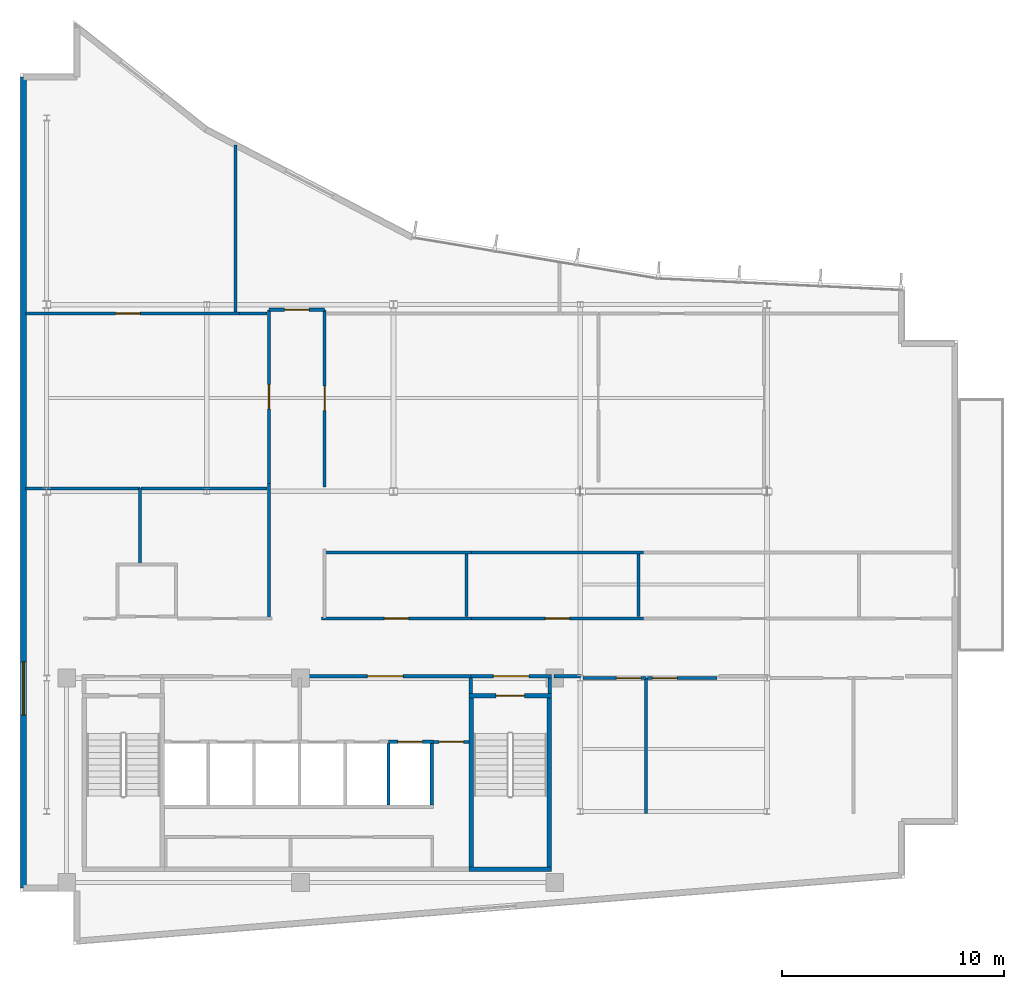
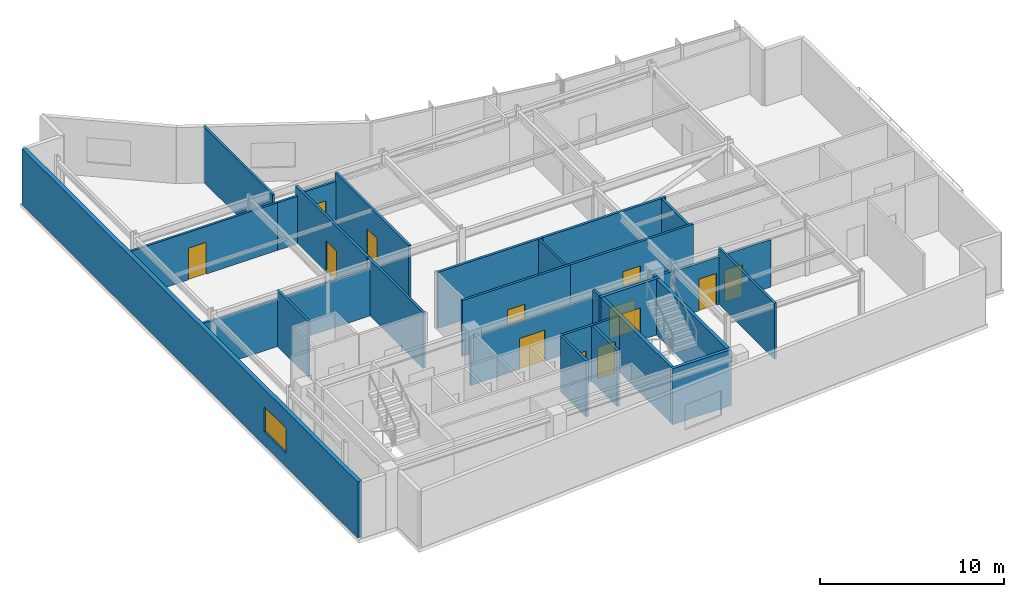
# One storey, part 12 of 17: 33 walls, 13 doors, 1 window, 14 openings.
"""IFC4 building model written with IfcOpenShell, lengths in metres."""

from ifc_helpers import new_model, si_unit, direction, frame, frame_2d, origin, place, context, subcontext, project, spatial, rectangle, extrude, material, layer, layer_set, type_object, element, fill, save


model = new_model("IFC4")

# Units and contexts
model_context = context("Model", 3, precision=1e-05, world=origin(), true_north=direction((0.0, 1.0)))
body_context = subcontext(model_context, "Body", "Model", "MODEL_VIEW")
ifc_project = project(units=[si_unit("LENGTHUNIT", "METRE"), si_unit("AREAUNIT", "SQUARE_METRE"), si_unit("VOLUMEUNIT", "CUBIC_METRE"), si_unit("PLANEANGLEUNIT", "RADIAN"), si_unit("MASSUNIT", "GRAM", prefix="KILO")], contexts=[model_context])

# Site, building, storey
site_placement = place(None, origin())
site = spatial("IfcSite", under=ifc_project, at=site_placement, CompositionType="ELEMENT")
building_placement = place(site_placement, origin())
building = spatial("IfcBuilding", under=site, at=building_placement, Name="Varnakote Quay Hospital", CompositionType="ELEMENT")
storey_placement = place(building_placement, frame((0.0, 0.0, 256.550048828125)))
storey = spatial("IfcBuildingStorey", under=building, at=storey_placement, Name="L63", CompositionType="ELEMENT", Elevation=256.550048828125)

# Wall, opening, door
ifc_material_1 = material(Name="Fire-rated acoustic gypsum stud wall", Category="gypsum")
ifc_layer_1 = layer(ifc_material_1, 0.159912109375)
ifc_layer_set_1 = layer_set([ifc_layer_1], Name="Fire-rated acoustic gypsum stud wall")
wall_type_1 = type_object("IfcWallType", Name="WL-COMP-160", PredefinedType="PARTITIONING", material=ifc_layer_set_1)
wall_1_placement = place(storey_placement, frame((12.580078125, 12.080078125, 0.0), z_axis=(0.0, 0.0, 1.0), x_axis=(1.0, 0.0, 0.0)))
wall_1 = element("IfcWall", 1, at=wall_1_placement, inside=storey, type_object=wall_type_1, Name="L63 Clinical Bed Lift Lobby Wall", PredefinedType="PARTITIONING", context=body_context, shape_type="SweptSolid", body=[
    extrude(rectangle(XDim=7.699951171875, YDim=0.159912109375, at=frame_2d((3.85009765625, 0.0))), origin(), (0.0, 0.0, 1.0), 3.156982421875),
])
opening_1_placement = place(wall_1_placement, frame((3.050048828125, 0.0, 0.0)))
opening_1 = element("IfcOpeningElement", 2, at=opening_1_placement, cuts=wall_1, Name="Opening D-SVL-L63", PredefinedType="OPENING", context=body_context, shape_type="SweptSolid", body=[
    extrude(rectangle(XDim=1.60009765625, YDim=2.050048828125, at=frame_2d((0.800048828125, 1.02490234375))), frame((0.0, 0.08984375, 0.0), z_axis=(0.0, -1.0, 0.0), x_axis=(1.0, 0.0, 0.0)), (0.0, 0.0, 1.0), 0.179931640625),
])
ifc_material_2 = material(Name="Fire-rated double smoke lobby door")
door_type_1 = type_object("IfcDoorType", Name="DR-LOBBY-FD60S-1600x2150", OperationType="NOTDEFINED", PredefinedType="DOOR", material=ifc_material_2)
door_1_placement = place(opening_1_placement, origin())
door_1 = element("IfcDoor", 3, at=door_1_placement, inside=storey, type_object=door_type_1, Name="L63 Clinical Core Smoke Vestibule Door", OperationType="DOUBLE_DOOR_SINGLE_SWING", OverallHeight=2.050048828125, OverallWidth=1.60009765625, PredefinedType="DOOR", context=body_context, shape_type="SweptSolid", body=[
    extrude(rectangle(XDim=1.60009765625, YDim=2.050048828125, at=frame_2d((0.800048828125, 1.02490234375))), frame((0.0, 0.02490234375, 0.0), z_axis=(0.0, -1.0, 0.0), x_axis=(1.0, 0.0, 0.0)), (0.0, 0.0, 1.0), 0.050048828125),
])
fill(opening_1, door_1)

# Wall
wall_2_placement = place(storey_placement, frame((20.280029296875, 11.300048828125, 0.0), z_axis=(0.0, 0.0, 1.0), x_axis=(0.0, 1.0, 0.0)))
element("IfcWall", 4, at=wall_2_placement, inside=storey, type_object=wall_type_1, Name="L63 East Stair Vestibule Divider Wall", PredefinedType="PARTITIONING", context=body_context, shape_type="SweptSolid", body=[
    extrude(rectangle(XDim=0.699951171875, YDim=0.159912109375, at=frame_2d((0.35009765625, 0.0))), origin(), (0.0, 0.0, 1.0), 3.7099609375),
])

# Wall, opening, door
wall_3_placement = place(storey_placement, frame((20.280029296875, 12.080078125, 0.0), z_axis=(0.0, 0.0, 1.0), x_axis=(1.0, 0.0, 0.0)))
wall_3 = element("IfcWall", 5, at=wall_3_placement, inside=storey, type_object=wall_type_1, Name="L63 East Stair Vestibule Smoke Wall", PredefinedType="PARTITIONING", context=body_context, shape_type="SweptSolid", body=[
    extrude(rectangle(XDim=3.619873046875, YDim=0.159912109375, at=frame_2d((1.81005859375, 0.0))), origin(), (0.0, 0.0, 1.0), 3.156982421875),
])
opening_2_placement = place(wall_3_placement, frame((1.010009765625, 0.0, 0.0)))
opening_2 = element("IfcOpeningElement", 6, at=opening_2_placement, cuts=wall_3, Name="Opening D-ST2L-L63", PredefinedType="OPENING", context=body_context, shape_type="SweptSolid", body=[
    extrude(rectangle(XDim=1.60009765625, YDim=2.050048828125, at=frame_2d((0.800048828125, 1.02490234375))), frame((0.0, 0.08984375, 0.0), z_axis=(0.0, -1.0, 0.0), x_axis=(1.0, 0.0, 0.0)), (0.0, 0.0, 1.0), 0.179931640625),
])
door_2_placement = place(opening_2_placement, origin())
door_2 = element("IfcDoor", 7, at=door_2_placement, inside=storey, type_object=door_type_1, Name="L63 East Stair Vestibule Smoke Door", OperationType="DOUBLE_DOOR_SINGLE_SWING", OverallHeight=2.050048828125, OverallWidth=1.60009765625, PredefinedType="DOOR", context=body_context, shape_type="SweptSolid", body=[
    extrude(rectangle(XDim=1.60009765625, YDim=2.050048828125, at=frame_2d((0.800048828125, 1.02490234375))), frame((0.0, 0.02490234375, 0.0), z_axis=(0.0, -1.0, 0.0), x_axis=(1.0, 0.0, 0.0)), (0.0, 0.0, 1.0), 0.050048828125),
])
fill(opening_2, door_2)

# Walls
wall_4_placement = place(storey_placement, frame((23.820068359375, 11.300048828125, 0.0), z_axis=(0.0, 0.0, 1.0), x_axis=(0.0, 1.0, 0.0)))
element("IfcWall", 8, at=wall_4_placement, inside=storey, type_object=wall_type_1, Name="L63 East Stair Vestibule East Wall", PredefinedType="PARTITIONING", context=body_context, shape_type="SweptSolid", body=[
    extrude(rectangle(XDim=0.699951171875, YDim=0.159912109375, at=frame_2d((0.35009765625, 0.0))), origin(), (0.0, 0.0, 1.0), 3.7099609375),
])
wall_5_placement = place(storey_placement, frame((24.02001953125, 12.080078125, 0.0), z_axis=(0.0, 0.0, 1.0), x_axis=(1.0, 0.0, 0.0)))
element("IfcWall", 9, at=wall_5_placement, inside=storey, type_object=wall_type_1, Name="L63 Corridor South Gap Wall", PredefinedType="PARTITIONING", context=body_context, shape_type="SweptSolid", body=[
    extrude(rectangle(XDim=1.2177734375, YDim=0.159912109375, at=frame_2d((0.60888671875, 0.0))), origin(), (0.0, 0.0, 1.0), 3.156982421875),
])

# Wall, opening, window
ifc_material_3 = material(Name="Precast concrete N50 (f'c 50 MPa)", Category="concrete")
ifc_layer_2 = layer(ifc_material_3, 0.260009765625)
ifc_layer_set_2 = layer_set([ifc_layer_2], Name="Precast concrete N50 (f'c 50 MPa)")
wall_type_2 = type_object("IfcWallType", Name="WL-EXT-BRICK-260", PredefinedType="STANDARD", material=ifc_layer_set_2)
wall_6_placement = place(storey_placement, frame((0.159912109375, 39.0400390625, 0.0), z_axis=(0.0, 0.0, 1.0), x_axis=(0.0, -1.0, 0.0)))
wall_6 = element("IfcWall", 10, at=wall_6_placement, inside=storey, type_object=wall_type_2, Name="L63 Brick-Faced Precast Exterior Wall", PredefinedType="STANDARD", context=body_context, shape_type="SweptSolid", body=[
    extrude(rectangle(XDim=36.47998046875, YDim=0.260009765625, at=frame_2d((18.239990234375, 0.0))), origin(), (0.0, 0.0, 1.0), 3.7099609375),
])
opening_3_placement = place(wall_6_placement, frame((26.31005859375, 0.0, 0.89990234375)))
opening_3 = element("IfcOpeningElement", 11, at=opening_3_placement, cuts=wall_6, Name="Opening WN-0257", PredefinedType="OPENING", context=body_context, shape_type="SweptSolid", body=[
    extrude(rectangle(XDim=2.39990234375, YDim=1.64990234375, at=frame_2d((1.199951171875, 0.824951171875))), frame((0.0, 0.139892578125, 0.0), z_axis=(0.0, -1.0, 0.0), x_axis=(1.0, 0.0, 0.0)), (0.0, 0.0, 1.0), 0.280029296875),
])
ifc_material_4 = material(Name="Double-glazed low-E solar glass", Category="glass")
window_type = type_object("IfcWindowType", Name="WIN-CLIN-2400x1650", PartitioningType="SINGLE_PANEL", PredefinedType="WINDOW", material=ifc_material_4)
window_placement = place(opening_3_placement, origin())
window = element("IfcWindow", 12, at=window_placement, inside=storey, type_object=window_type, Name="L63 Solar-Control Clinical Window", OverallHeight=1.64990234375, OverallWidth=2.39990234375, PartitioningType="SINGLE_PANEL", PredefinedType="WINDOW", context=body_context, shape_type="SweptSolid", body=[
    extrude(rectangle(XDim=2.39990234375, YDim=1.64990234375, at=frame_2d((1.199951171875, 0.824951171875))), frame((0.0, 0.030029296875, 0.0), z_axis=(0.0, -1.0, 0.0), x_axis=(1.0, 0.0, 0.0)), (0.0, 0.0, 1.0), 0.06005859375),
])
fill(opening_3, window)

# Walls
ifc_material_5 = material(Name="Concrete N50 (f'c 50 MPa)", Category="concrete")
ifc_layer_3 = layer(ifc_material_5, 0.14990234375)
ifc_layer_set_3 = layer_set([ifc_layer_3], Name="Concrete N50 (f'c 50 MPa)")
wall_type_3 = type_object("IfcWallType", Name="WL-SHAFT-N50-150", PredefinedType="SHEAR", material=ifc_layer_set_3)
wall_7_placement = place(storey_placement, frame((16.574951171875, 6.300048828125, 0.0), z_axis=(0.0, 0.0, 1.0), x_axis=(0.0, 1.0, 0.0)))
element("IfcWall", 13, at=wall_7_placement, inside=storey, type_object=wall_type_3, Name="L63 LF-PH1 Hoistway Divider Wall", PredefinedType="SHEAR", context=body_context, shape_type="SweptSolid", body=[
    extrude(rectangle(XDim=2.75, YDim=0.14990234375, at=frame_2d((1.375, 0.0))), origin(), (0.0, 0.0, 1.0), 3.7099609375),
])
ifc_material_6 = material(Name="Concrete N50 (f'c 50 MPa)", Category="concrete")
ifc_layer_4 = layer(ifc_material_6, 0.159912109375)
ifc_layer_set_4 = layer_set([ifc_layer_4], Name="Concrete N50 (f'c 50 MPa)")
wall_type_4 = type_object("IfcWallType", Name="WL-SHAFT-N50-160", PredefinedType="SHEAR", material=ifc_layer_set_4)
wall_8_placement = place(storey_placement, frame((18.530029296875, 6.300048828125, 0.0), z_axis=(0.0, 0.0, 1.0), x_axis=(0.0, 1.0, 0.0)))
element("IfcWall", 14, at=wall_8_placement, inside=storey, type_object=wall_type_4, Name="L63 REAR Lift Bank East Shear Wall", PredefinedType="SHEAR", context=body_context, shape_type="SweptSolid", body=[
    extrude(rectangle(XDim=2.75, YDim=0.159912109375, at=frame_2d((1.375, 0.0))), origin(), (0.0, 0.0, 1.0), 3.7099609375),
])

# Wall, opening, door
wall_9_placement = place(storey_placement, frame((16.574951171875, 9.1298828125, 0.0), z_axis=(0.0, 0.0, 1.0), x_axis=(1.0, 0.0, 0.0)))
wall_9 = element("IfcWall", 15, at=wall_9_placement, inside=storey, type_object=wall_type_4, Name="L63 LF-PH2 Hoistway Front Wall", PredefinedType="SHEAR", context=body_context, shape_type="SweptSolid", body=[
    extrude(rectangle(XDim=2.03515625, YDim=0.159912109375, at=frame_2d((1.017578125, 0.0))), origin(), (0.0, 0.0, 1.0), 3.7099609375),
])
opening_4_placement = place(wall_9_placement, frame((0.425048828125, 0.0, 0.0)))
opening_4 = element("IfcOpeningElement", 16, at=opening_4_placement, cuts=wall_9, Name="Opening LD-PH2-L63", PredefinedType="OPENING", context=body_context, shape_type="SweptSolid", body=[
    extrude(rectangle(XDim=1.10009765625, YDim=2.14990234375, at=frame_2d((0.550048828125, 1.074951171875))), frame((0.0, 0.08984375, 0.0), z_axis=(0.0, -1.0, 0.0), x_axis=(1.0, 0.0, 0.0)), (0.0, 0.0, 1.0), 0.179931640625),
])
ifc_material_7 = material(Name="Brushed bronze lift landing sliding door")
door_type_2 = type_object("IfcDoorType", Name="DR-LIFT-LD-1100x2150", OperationType="NOTDEFINED", PredefinedType="DOOR", material=ifc_material_7)
door_3_placement = place(opening_4_placement, origin())
door_3 = element("IfcDoor", 17, at=door_3_placement, inside=storey, type_object=door_type_2, Name="L63 LF-PH2 Lift Landing Sliding Door", OperationType="SLIDING_TO_LEFT", OverallHeight=2.14990234375, OverallWidth=1.10009765625, PredefinedType="DOOR", context=body_context, shape_type="SweptSolid", body=[
    extrude(rectangle(XDim=1.10009765625, YDim=2.14990234375, at=frame_2d((0.550048828125, 1.074951171875))), frame((0.0, 0.02490234375, 0.0), z_axis=(0.0, -1.0, 0.0), x_axis=(1.0, 0.0, 0.0)), (0.0, 0.0, 1.0), 0.050048828125),
])
fill(opening_4, door_3)

# Walls
ifc_material_8 = material(Name="Concrete N50 (f'c 50 MPa)", Category="concrete")
ifc_layer_5 = layer(ifc_material_8, 0.199951171875)
ifc_layer_set_5 = layer_set([ifc_layer_5], Name="Concrete N50 (f'c 50 MPa)")
wall_type_5 = type_object("IfcWallType", Name="WL-SHAFT-N50-200", PredefinedType="SHEAR", material=ifc_layer_set_5)
wall_10_placement = place(storey_placement, frame((20.199951171875, 3.39990234375, 0.0), z_axis=(0.0, 0.0, 1.0), x_axis=(1.0, 0.0, 0.0)))
element("IfcWall", 18, at=wall_10_placement, inside=storey, type_object=wall_type_5, Name="L63 Stair ST2 South Shaft Wall", PredefinedType="SHEAR", context=body_context, shape_type="SweptSolid", body=[
    extrude(rectangle(XDim=3.699951171875, YDim=0.199951171875, at=frame_2d((1.85009765625, 0.0))), origin(), (0.0, 0.0, 1.0), 3.7099609375),
])
for number, where, z_axis, x_axis, name in (
    (19, (20.300048828125, 3.5, 0.0), (0.0, 0.0, 1.0), (0.0, 1.0, 0.0), "L63 Stair ST2 West Shaft Wall"),
    (20, (23.800048828125, 3.5, 0.0), (0.0, 0.0, 1.0), (0.0, 1.0, 0.0), "L63 Stair ST2 East Shaft Wall"),
):
    element("IfcWall", number, at=place(storey_placement, frame(where, z_axis=z_axis, x_axis=x_axis)), inside=storey, type_object=wall_type_5, Name=name, PredefinedType="SHEAR", context=body_context, shape_type="SweptSolid", body=[
        extrude(rectangle(XDim=7.60009765625, YDim=0.199951171875, at=frame_2d((3.800048828125, 0.0))), origin(), (0.0, 0.0, 1.0), 3.7099609375),
    ])

# Wall, opening, door
wall_11_placement = place(storey_placement, frame((20.199951171875, 11.199951171875, 0.0), z_axis=(0.0, 0.0, 1.0), x_axis=(1.0, 0.0, 0.0)))
wall_11 = element("IfcWall", 21, at=wall_11_placement, inside=storey, type_object=wall_type_5, Name="L63 Stair ST2 Exit Wall", PredefinedType="SHEAR", context=body_context, shape_type="SweptSolid", body=[
    extrude(rectangle(XDim=3.699951171875, YDim=0.199951171875, at=frame_2d((1.85009765625, 0.0))), origin(), (0.0, 0.0, 1.0), 3.7099609375),
])
opening_5_placement = place(wall_11_placement, frame((1.199951171875, 0.0, 0.0)))
opening_5 = element("IfcOpeningElement", 22, at=opening_5_placement, cuts=wall_11, Name="Opening D-ST2-L63", PredefinedType="OPENING", context=body_context, shape_type="SweptSolid", body=[
    extrude(rectangle(XDim=1.300048828125, YDim=2.14990234375, at=frame_2d((0.64990234375, 1.074951171875))), frame((0.0, 0.10986328125, 0.0), z_axis=(0.0, -1.0, 0.0), x_axis=(1.0, 0.0, 0.0)), (0.0, 0.0, 1.0), 0.219970703125),
])
ifc_material_9 = material(Name="Fire-rated ceramic-glazed timber exit door", Category="wood")
door_type_3 = type_object("IfcDoorType", Name="DR-STAIR-FD60S-1300x2150", OperationType="NOTDEFINED", PredefinedType="DOOR", material=ifc_material_9)
door_4_placement = place(opening_5_placement, origin())
door_4 = element("IfcDoor", 23, at=door_4_placement, inside=storey, type_object=door_type_3, Name="L63 Stair ST2 Fire Exit Door", OperationType="SINGLE_SWING_LEFT", OverallHeight=2.14990234375, OverallWidth=1.300048828125, PredefinedType="DOOR", context=body_context, shape_type="SweptSolid", body=[
    extrude(rectangle(XDim=1.300048828125, YDim=2.14990234375, at=frame_2d((0.64990234375, 1.074951171875))), frame((0.0, 0.02490234375, 0.0), z_axis=(0.0, -1.0, 0.0), x_axis=(1.0, 0.0, 0.0)), (0.0, 0.0, 1.0), 0.050048828125),
])
fill(opening_5, door_4)

# Walls
ifc_material_10 = material(Name="Smoke-proof clinical partition", Category="gypsum")
ifc_layer_6 = layer(ifc_material_10, 0.135009765625)
ifc_layer_set_6 = layer_set([ifc_layer_6], Name="Smoke-proof clinical partition")
wall_type_6 = type_object("IfcWallType", Name="WL-SMOKE-135", PredefinedType="PARTITIONING", material=ifc_layer_set_6)
wall_12_placement = place(storey_placement, frame((28.159912109375, 5.89990234375, 0.0), z_axis=(0.0, 0.0, 1.0), x_axis=(0.0, 1.0, 0.0)))
element("IfcWall", 24, at=wall_12_placement, inside=storey, type_object=wall_type_6, Name="L63 Clinical Interior Partition", PredefinedType="PARTITIONING", context=body_context, shape_type="SweptSolid", body=[
    extrude(rectangle(XDim=6.10009765625, YDim=0.135009765625, at=frame_2d((3.050048828125, 0.0))), origin(), (0.0, 0.0, 1.0), 3.7099609375),
])
wall_13_placement = place(storey_placement, frame((5.389892578125, 17.139892578125, 0.0), z_axis=(0.0, 0.0, 1.0), x_axis=(0.0, 1.0, 0.0)))
element("IfcWall", 25, at=wall_13_placement, inside=storey, type_object=wall_type_6, Name="L63 Clinical Interior Partition", PredefinedType="PARTITIONING", context=body_context, shape_type="SweptSolid", body=[
    extrude(rectangle(XDim=3.380126953125, YDim=0.135009765625, at=frame_2d((1.68994140625, 0.0))), origin(), (0.0, 0.0, 1.0), 3.7099609375),
])
wall_14_placement = place(storey_placement, frame((5.389892578125, 20.52001953125, 0.0), z_axis=(0.0, 0.0, 1.0), x_axis=(-1.0, 0.0, 0.0)))
element("IfcWall", 26, at=wall_14_placement, inside=storey, type_object=wall_type_6, Name="L63 Clinical Interior Partition", PredefinedType="PARTITIONING", context=body_context, shape_type="SweptSolid", body=[
    extrude(rectangle(XDim=5.14990234375, YDim=0.135009765625, at=frame_2d((2.574951171875, 0.0))), origin(), (0.0, 0.0, 1.0), 3.156982421875),
])
wall_15_placement = place(storey_placement, frame((11.1201171875, 20.52001953125, 0.0), z_axis=(0.0, 0.0, 1.0), x_axis=(-1.0, 0.0, 0.0)))
element("IfcWall", 27, at=wall_15_placement, inside=storey, type_object=wall_type_6, Name="L63 Clinical Interior Partition", PredefinedType="PARTITIONING", context=body_context, shape_type="SweptSolid", body=[
    extrude(rectangle(XDim=5.672607421875, YDim=0.135009765625, at=frame_2d((2.83642578125, 0.0))), origin(), (0.0, 0.0, 1.0), 3.156982421875),
])
for number, where, z_axis, x_axis, name in (
    (28, (20.090087890625, 14.760009765625, 0.0), (0.0, 0.0, 1.0), (0.0, 1.0, 0.0), "L63 Clinical Interior Partition"),
    (29, (27.81005859375, 14.760009765625, 0.0), (0.0, 0.0, 1.0), (0.0, 1.0, 0.0), "L63 Clinical Interior Partition"),
):
    element("IfcWall", number, at=place(storey_placement, frame(where, z_axis=z_axis, x_axis=x_axis)), inside=storey, type_object=wall_type_6, Name=name, PredefinedType="PARTITIONING", context=body_context, shape_type="SweptSolid", body=[
        extrude(rectangle(XDim=2.81005859375, YDim=0.135009765625, at=frame_2d((1.405029296875, 0.0))), origin(), (0.0, 0.0, 1.0), 3.7099609375),
    ])

# Wall, opening, door
wall_16_placement = place(storey_placement, frame((9.87841796875, 28.39990234375, 0.0), z_axis=(0.0, 0.0, 1.0), x_axis=(-1.0, 0.0, 0.0)))
wall_16 = element("IfcWall", 30, at=wall_16_placement, inside=storey, type_object=wall_type_6, Name="L63 Clinical Interior Partition", PredefinedType="PARTITIONING", context=body_context, shape_type="SweptSolid", body=[
    extrude(rectangle(XDim=9.638427734375, YDim=0.135009765625, at=frame_2d((4.8193359375, 0.0))), origin(), (0.0, 0.0, 1.0), 3.156982421875),
])
opening_6_placement = place(wall_16_placement, frame((4.47265625, 0.0, 0.0)))
opening_6 = element("IfcOpeningElement", 31, at=opening_6_placement, cuts=wall_16, Name="Opening D-L63-MD09", PredefinedType="OPENING", context=body_context, shape_type="SweptSolid", body=[
    extrude(rectangle(XDim=1.10009765625, YDim=2.10009765625, at=frame_2d((0.550048828125, 1.050048828125))), frame((0.0, 0.077392578125, 0.0), z_axis=(0.0, -1.0, 0.0), x_axis=(1.0, 0.0, 0.0)), (0.0, 0.0, 1.0), 0.155029296875),
])
ifc_material_11 = material(Name="Acoustic timber clinical consult door", Category="wood")
door_type_4 = type_object("IfcDoorType", Name="DR-CLIN-FD30S-1100x2100", OperationType="NOTDEFINED", PredefinedType="DOOR", material=ifc_material_11)
door_5_placement = place(opening_6_placement, origin())
door_5 = element("IfcDoor", 32, at=door_5_placement, inside=storey, type_object=door_type_4, Name="L63 Ward Nurse Station Office Door", OperationType="SINGLE_SWING_LEFT", OverallHeight=2.10009765625, OverallWidth=1.10009765625, PredefinedType="DOOR", context=body_context, shape_type="SweptSolid", body=[
    extrude(rectangle(XDim=1.10009765625, YDim=2.10009765625, at=frame_2d((0.550048828125, 1.050048828125))), frame((0.0, 0.02490234375, 0.0), z_axis=(0.0, -1.0, 0.0), x_axis=(1.0, 0.0, 0.0)), (0.0, 0.0, 1.0), 0.050048828125),
])
fill(opening_6, door_5)

# Walls
wall_17_placement = place(storey_placement, frame((11.1201171875, 28.39990234375, 0.0), z_axis=(0.0, 0.0, 1.0), x_axis=(-1.0, 0.0, 0.0)))
element("IfcWall", 33, at=wall_17_placement, inside=storey, type_object=wall_type_6, Name="L63 Clinical Interior Partition", PredefinedType="PARTITIONING", context=body_context, shape_type="SweptSolid", body=[
    extrude(rectangle(XDim=1.239501953125, YDim=0.135009765625, at=frame_2d((0.61962890625, 0.0))), origin(), (0.0, 0.0, 1.0), 3.156982421875),
])
wall_18_placement = place(storey_placement, frame((9.699951171875, 28.45751953125, 0.0), z_axis=(0.0, 0.0, 1.0), x_axis=(0.0, 1.0, 0.0)))
element("IfcWall", 34, at=wall_18_placement, inside=storey, type_object=wall_type_6, Name="L63 Clinical Interior Partition", PredefinedType="PARTITIONING", context=body_context, shape_type="SweptSolid", body=[
    extrude(rectangle(XDim=7.511962890625, YDim=0.135009765625, at=frame_2d((3.755859375, 0.0))), origin(), (0.0, 0.0, 1.0), 3.7099609375),
])

# Wall, opening, door
ifc_material_12 = material(Name="Fire-rated clinical gypsum partition", Category="gypsum")
ifc_layer_7 = layer(ifc_material_12, 0.139892578125)
ifc_layer_set_7 = layer_set([ifc_layer_7], Name="Fire-rated clinical gypsum partition")
wall_type_7 = type_object("IfcWallType", Name="WL-WARD-140", PredefinedType="PARTITIONING", material=ifc_layer_set_7)
wall_19_placement = place(storey_placement, frame((18.610107421875, 9.1298828125, 0.0), z_axis=(0.0, 0.0, 1.0), x_axis=(1.0, 0.0, 0.0)))
wall_19 = element("IfcWall", 35, at=wall_19_placement, inside=storey, type_object=wall_type_7, Name="L63 Core Service Corridor North Door Wall", PredefinedType="PARTITIONING", context=body_context, shape_type="SweptSolid", body=[
    extrude(rectangle(XDim=1.58984375, YDim=0.139892578125, at=frame_2d((0.794921875, 0.0))), origin(), (0.0, 0.0, 1.0), 3.7099609375),
])
opening_7_placement = place(wall_19_placement, frame((0.239990234375, 0.0, 0.0)))
opening_7 = element("IfcOpeningElement", 36, at=opening_7_placement, cuts=wall_19, Name="Opening D-CSRV-L63", PredefinedType="OPENING", context=body_context, shape_type="SweptSolid", body=[
    extrude(rectangle(XDim=1.10009765625, YDim=2.10009765625, at=frame_2d((0.550048828125, 1.050048828125))), frame((0.0, 0.079833984375, 0.0), z_axis=(0.0, -1.0, 0.0), x_axis=(1.0, 0.0, 0.0)), (0.0, 0.0, 1.0), 0.159912109375),
])
door_6_placement = place(opening_7_placement, origin())
door_6 = element("IfcDoor", 37, at=door_6_placement, inside=storey, type_object=door_type_4, Name="L63 Core Service Corridor Door", OperationType="SINGLE_SWING_RIGHT", OverallHeight=2.10009765625, OverallWidth=1.10009765625, PredefinedType="DOOR", context=body_context, shape_type="SweptSolid", body=[
    extrude(rectangle(XDim=1.10009765625, YDim=2.10009765625, at=frame_2d((0.550048828125, 1.050048828125))), frame((0.0, 0.02490234375, 0.0), z_axis=(0.0, -1.0, 0.0), x_axis=(1.0, 0.0, 0.0)), (0.0, 0.0, 1.0), 0.050048828125),
])
fill(opening_7, door_6)

ifc_material_13 = material(Name="Fire-rated clinical gypsum partition", Category="gypsum")
ifc_layer_8 = layer(ifc_material_13, 0.14990234375)
ifc_layer_set_8 = layer_set([ifc_layer_8], Name="Fire-rated clinical gypsum partition")
wall_type_8 = type_object("IfcWallType", Name="WL-WARD-150", PredefinedType="PARTITIONING", material=ifc_layer_set_8)
wall_20_placement = place(storey_placement, frame((28.159912109375, 12.0, 0.0), z_axis=(0.0, 0.0, 1.0), x_axis=(-1.0, 0.0, 0.0)))
wall_20 = element("IfcWall", 38, at=wall_20_placement, inside=storey, type_object=wall_type_8, Name="L63 Clinical Interior Partition", PredefinedType="PARTITIONING", context=body_context, shape_type="SweptSolid", body=[
    extrude(rectangle(XDim=2.8330078125, YDim=0.14990234375, at=frame_2d((1.41650390625, 0.0))), origin(), (0.0, 0.0, 1.0), 3.156982421875),
])
opening_8_placement = place(wall_20_placement, frame((0.2333984375, 0.0, 0.0)))
opening_8 = element("IfcOpeningElement", 39, at=opening_8_placement, cuts=wall_20, Name="Opening D-L63-RL1", PredefinedType="OPENING", context=body_context, shape_type="SweptSolid", body=[
    extrude(rectangle(XDim=1.10009765625, YDim=2.10009765625, at=frame_2d((0.550048828125, 1.050048828125))), frame((0.0, 0.0849609375, 0.0), z_axis=(0.0, -1.0, 0.0), x_axis=(1.0, 0.0, 0.0)), (0.0, 0.0, 1.0), 0.169921875),
])
door_7_placement = place(opening_8_placement, origin())
door_7 = element("IfcDoor", 40, at=door_7_placement, inside=storey, type_object=door_type_4, Name="L63 Day Infusion Treatment Suite Door", OperationType="SINGLE_SWING_RIGHT", OverallHeight=2.10009765625, OverallWidth=1.10009765625, PredefinedType="DOOR", context=body_context, shape_type="SweptSolid", body=[
    extrude(rectangle(XDim=1.10009765625, YDim=2.10009765625, at=frame_2d((0.550048828125, 1.050048828125))), frame((0.0, 0.02490234375, 0.0), z_axis=(0.0, -1.0, 0.0), x_axis=(1.0, 0.0, 0.0)), (0.0, 0.0, 1.0), 0.050048828125),
])
fill(opening_8, door_7)

wall_21_placement = place(storey_placement, frame((31.35009765625, 12.0, 0.0), z_axis=(0.0, 0.0, 1.0), x_axis=(-1.0, 0.0, 0.0)))
wall_21 = element("IfcWall", 41, at=wall_21_placement, inside=storey, type_object=wall_type_8, Name="L63 Clinical Interior Partition", PredefinedType="PARTITIONING", context=body_context, shape_type="SweptSolid", body=[
    extrude(rectangle(XDim=3.132568359375, YDim=0.14990234375, at=frame_2d((1.56640625, 0.0))), origin(), (0.0, 0.0, 1.0), 3.156982421875),
])
opening_9_placement = place(wall_21_placement, frame((1.791748046875, 0.0, 0.0)))
opening_9 = element("IfcOpeningElement", 42, at=opening_9_placement, cuts=wall_21, Name="Opening D-L63-RL2", PredefinedType="OPENING", context=body_context, shape_type="SweptSolid", body=[
    extrude(rectangle(XDim=1.10009765625, YDim=2.10009765625, at=frame_2d((0.550048828125, 1.050048828125))), frame((0.0, 0.0849609375, 0.0), z_axis=(0.0, -1.0, 0.0), x_axis=(1.0, 0.0, 0.0)), (0.0, 0.0, 1.0), 0.169921875),
])
door_8_placement = place(opening_9_placement, origin())
door_8 = element("IfcDoor", 43, at=door_8_placement, inside=storey, type_object=door_type_4, Name="L63 Telemedicine Consult Office Door", OperationType="SINGLE_SWING_LEFT", OverallHeight=2.10009765625, OverallWidth=1.10009765625, PredefinedType="DOOR", context=body_context, shape_type="SweptSolid", body=[
    extrude(rectangle(XDim=1.10009765625, YDim=2.10009765625, at=frame_2d((0.550048828125, 1.050048828125))), frame((0.0, 0.02490234375, 0.0), z_axis=(0.0, -1.0, 0.0), x_axis=(1.0, 0.0, 0.0)), (0.0, 0.0, 1.0), 0.050048828125),
])
fill(opening_9, door_8)

wall_22_placement = place(storey_placement, frame((20.31591796875, 14.679931640625, 0.0), z_axis=(0.0, 0.0, 1.0), x_axis=(-1.0, 0.0, 0.0)))
wall_22 = element("IfcWall", 44, at=wall_22_placement, inside=storey, type_object=wall_type_8, Name="L63 Clinical Interior Partition", PredefinedType="PARTITIONING", context=body_context, shape_type="SweptSolid", body=[
    extrude(rectangle(XDim=6.761962890625, YDim=0.14990234375, at=frame_2d((3.380859375, 0.0))), origin(), (0.0, 0.0, 1.0), 3.7099609375),
])
opening_10_placement = place(wall_22_placement, frame((2.8310546875, 0.0, 0.0)))
opening_10 = element("IfcOpeningElement", 45, at=opening_10_placement, cuts=wall_22, Name="Opening D-L63-MD03", PredefinedType="OPENING", context=body_context, shape_type="SweptSolid", body=[
    extrude(rectangle(XDim=1.10009765625, YDim=2.10009765625, at=frame_2d((0.550048828125, 1.050048828125))), frame((0.0, 0.0849609375, 0.0), z_axis=(0.0, -1.0, 0.0), x_axis=(1.0, 0.0, 0.0)), (0.0, 0.0, 1.0), 0.169921875),
])
door_9_placement = place(opening_10_placement, origin())
door_9 = element("IfcDoor", 46, at=door_9_placement, inside=storey, type_object=door_type_4, Name="L63 Surgical Clinical Consultation Suite Door", OperationType="SINGLE_SWING_RIGHT", OverallHeight=2.10009765625, OverallWidth=1.10009765625, PredefinedType="DOOR", context=body_context, shape_type="SweptSolid", body=[
    extrude(rectangle(XDim=1.10009765625, YDim=2.10009765625, at=frame_2d((0.550048828125, 1.050048828125))), frame((0.0, 0.02490234375, 0.0), z_axis=(0.0, -1.0, 0.0), x_axis=(1.0, 0.0, 0.0)), (0.0, 0.0, 1.0), 0.050048828125),
])
fill(opening_10, door_9)

wall_23_placement = place(storey_placement, frame((28.035888671875, 14.679931640625, 0.0), z_axis=(0.0, 0.0, 1.0), x_axis=(-1.0, 0.0, 0.0)))
wall_23 = element("IfcWall", 47, at=wall_23_placement, inside=storey, type_object=wall_type_8, Name="L63 Clinical Interior Partition", PredefinedType="PARTITIONING", context=body_context, shape_type="SweptSolid", body=[
    extrude(rectangle(XDim=7.7177734375, YDim=0.14990234375, at=frame_2d((3.85888671875, 0.0))), origin(), (0.0, 0.0, 1.0), 3.7099609375),
])
opening_11_placement = place(wall_23_placement, frame((3.30908203125, 0.0, 0.0)))
opening_11 = element("IfcOpeningElement", 48, at=opening_11_placement, cuts=wall_23, Name="Opening D-L63-MD04", PredefinedType="OPENING", context=body_context, shape_type="SweptSolid", body=[
    extrude(rectangle(XDim=1.10009765625, YDim=2.10009765625, at=frame_2d((0.550048828125, 1.050048828125))), frame((0.0, 0.0849609375, 0.0), z_axis=(0.0, -1.0, 0.0), x_axis=(1.0, 0.0, 0.0)), (0.0, 0.0, 1.0), 0.169921875),
])
door_10_placement = place(opening_11_placement, origin())
door_10 = element("IfcDoor", 49, at=door_10_placement, inside=storey, type_object=door_type_4, Name="L63 Ward Medication Pantry Door", OperationType="SINGLE_SWING_LEFT", OverallHeight=2.10009765625, OverallWidth=1.10009765625, PredefinedType="DOOR", context=body_context, shape_type="SweptSolid", body=[
    extrude(rectangle(XDim=1.10009765625, YDim=2.10009765625, at=frame_2d((0.550048828125, 1.050048828125))), frame((0.0, 0.02490234375, 0.0), z_axis=(0.0, -1.0, 0.0), x_axis=(1.0, 0.0, 0.0)), (0.0, 0.0, 1.0), 0.050048828125),
])
fill(opening_11, door_10)

# Wall
wall_24_placement = place(storey_placement, frame((11.199951171875, 20.74609375, 0.0), z_axis=(0.0, 0.0, 1.0), x_axis=(0.0, -1.0, 0.0)))
element("IfcWall", 50, at=wall_24_placement, inside=storey, type_object=wall_type_8, Name="L63 Clinical Interior Partition", PredefinedType="PARTITIONING", context=body_context, shape_type="SweptSolid", body=[
    extrude(rectangle(XDim=6.046142578125, YDim=0.14990234375, at=frame_2d((3.02294921875, 0.0))), origin(), (0.0, 0.0, 1.0), 3.7099609375),
])

# Wall, opening, door
wall_25_placement = place(storey_placement, frame((11.199951171875, 28.56005859375, 0.0), z_axis=(0.0, 0.0, 1.0), x_axis=(0.0, -1.0, 0.0)))
wall_25 = element("IfcWall", 51, at=wall_25_placement, inside=storey, type_object=wall_type_8, Name="L63 Clinical Interior Partition", PredefinedType="PARTITIONING", context=body_context, shape_type="SweptSolid", body=[
    extrude(rectangle(XDim=7.81201171875, YDim=0.14990234375, at=frame_2d((3.906005859375, 0.0))), origin(), (0.0, 0.0, 1.0), 3.7099609375),
])
opening_12_placement = place(wall_25_placement, frame((3.35595703125, 0.0, 0.0)))
opening_12 = element("IfcOpeningElement", 52, at=opening_12_placement, cuts=wall_25, Name="Opening D-L63-MD07", PredefinedType="OPENING", context=body_context, shape_type="SweptSolid", body=[
    extrude(rectangle(XDim=1.10009765625, YDim=2.10009765625, at=frame_2d((0.550048828125, 1.050048828125))), frame((0.0, 0.0849609375, 0.0), z_axis=(0.0, -1.0, 0.0), x_axis=(1.0, 0.0, 0.0)), (0.0, 0.0, 1.0), 0.169921875),
])
door_11_placement = place(opening_12_placement, origin())
door_11 = element("IfcDoor", 53, at=door_11_placement, inside=storey, type_object=door_type_4, Name="L63 Surgical Clinical Consultation Suite Door", OperationType="SINGLE_SWING_RIGHT", OverallHeight=2.10009765625, OverallWidth=1.10009765625, PredefinedType="DOOR", context=body_context, shape_type="SweptSolid", body=[
    extrude(rectangle(XDim=1.10009765625, YDim=2.10009765625, at=frame_2d((0.550048828125, 1.050048828125))), frame((0.0, 0.02490234375, 0.0), z_axis=(0.0, -1.0, 0.0), x_axis=(1.0, 0.0, 0.0)), (0.0, 0.0, 1.0), 0.050048828125),
])
fill(opening_12, door_11)

wall_26_placement = place(storey_placement, frame((13.699951171875, 20.593994140625, 0.0), z_axis=(0.0, 0.0, 1.0), x_axis=(0.0, 1.0, 0.0)))
wall_26 = element("IfcWall", 54, at=wall_26_placement, inside=storey, type_object=wall_type_8, Name="L63 Clinical Interior Partition", PredefinedType="PARTITIONING", context=body_context, shape_type="SweptSolid", body=[
    extrude(rectangle(XDim=7.966064453125, YDim=0.14990234375, at=frame_2d((3.98291015625, 0.0))), origin(), (0.0, 0.0, 1.0), 3.7099609375),
])
opening_13_placement = place(wall_26_placement, frame((3.43310546875, 0.0, 0.0)))
opening_13 = element("IfcOpeningElement", 55, at=opening_13_placement, cuts=wall_26, Name="Opening D-L63-MD08", PredefinedType="OPENING", context=body_context, shape_type="SweptSolid", body=[
    extrude(rectangle(XDim=1.10009765625, YDim=2.10009765625, at=frame_2d((0.550048828125, 1.050048828125))), frame((0.0, 0.0849609375, 0.0), z_axis=(0.0, -1.0, 0.0), x_axis=(1.0, 0.0, 0.0)), (0.0, 0.0, 1.0), 0.169921875),
])
door_12_placement = place(opening_13_placement, origin())
door_12 = element("IfcDoor", 56, at=door_12_placement, inside=storey, type_object=door_type_4, Name="L63 Ward Medication Pantry Door", OperationType="SINGLE_SWING_LEFT", OverallHeight=2.10009765625, OverallWidth=1.10009765625, PredefinedType="DOOR", context=body_context, shape_type="SweptSolid", body=[
    extrude(rectangle(XDim=1.10009765625, YDim=2.10009765625, at=frame_2d((0.550048828125, 1.050048828125))), frame((0.0, 0.02490234375, 0.0), z_axis=(0.0, -1.0, 0.0), x_axis=(1.0, 0.0, 0.0)), (0.0, 0.0, 1.0), 0.050048828125),
])
fill(opening_13, door_12)

wall_27_placement = place(storey_placement, frame((13.699951171875, 28.56005859375, 0.0), z_axis=(0.0, 0.0, 1.0), x_axis=(-1.0, 0.0, 0.0)))
wall_27 = element("IfcWall", 57, at=wall_27_placement, inside=storey, type_object=wall_type_8, Name="L63 Clinical Interior Partition", PredefinedType="PARTITIONING", context=body_context, shape_type="SweptSolid", body=[
    extrude(rectangle(XDim=2.5, YDim=0.14990234375, at=frame_2d((1.25, 0.0))), origin(), (0.0, 0.0, 1.0), 3.156982421875),
])
opening_14_placement = place(wall_27_placement, frame((0.699951171875, 0.0, 0.0)))
opening_14 = element("IfcOpeningElement", 58, at=opening_14_placement, cuts=wall_27, Name="Opening D-L63-MD10", PredefinedType="OPENING", context=body_context, shape_type="SweptSolid", body=[
    extrude(rectangle(XDim=1.10009765625, YDim=2.10009765625, at=frame_2d((0.550048828125, 1.050048828125))), frame((0.0, 0.0849609375, 0.0), z_axis=(0.0, -1.0, 0.0), x_axis=(1.0, 0.0, 0.0)), (0.0, 0.0, 1.0), 0.169921875),
])
door_13_placement = place(opening_14_placement, origin())
door_13 = element("IfcDoor", 59, at=door_13_placement, inside=storey, type_object=door_type_4, Name="L63 High-Acuity Step-Down Treatment Suite Door", OperationType="SINGLE_SWING_RIGHT", OverallHeight=2.10009765625, OverallWidth=1.10009765625, PredefinedType="DOOR", context=body_context, shape_type="SweptSolid", body=[
    extrude(rectangle(XDim=1.10009765625, YDim=2.10009765625, at=frame_2d((0.550048828125, 1.050048828125))), frame((0.0, 0.02490234375, 0.0), z_axis=(0.0, -1.0, 0.0), x_axis=(1.0, 0.0, 0.0)), (0.0, 0.0, 1.0), 0.050048828125),
])
fill(opening_14, door_13)

# Walls
wall_28_placement = place(storey_placement, frame((13.719970703125, 17.64990234375, 0.0), z_axis=(0.0, 0.0, 1.0), x_axis=(1.0, 0.0, 0.0)))
element("IfcWall", 60, at=wall_28_placement, inside=storey, type_object=wall_type_8, Name="L63 Clinical Interior Partition", PredefinedType="PARTITIONING", context=body_context, shape_type="SweptSolid", body=[
    extrude(rectangle(XDim=6.595947265625, YDim=0.14990234375, at=frame_2d((3.2978515625, 0.0))), origin(), (0.0, 0.0, 1.0), 3.7099609375),
])
wall_29_placement = place(storey_placement, frame((20.318115234375, 17.64990234375, 0.0), z_axis=(0.0, 0.0, 1.0), x_axis=(1.0, 0.0, 0.0)))
element("IfcWall", 61, at=wall_29_placement, inside=storey, type_object=wall_type_8, Name="L63 Clinical Interior Partition", PredefinedType="PARTITIONING", context=body_context, shape_type="SweptSolid", body=[
    extrude(rectangle(XDim=7.7177734375, YDim=0.14990234375, at=frame_2d((3.85888671875, 0.0))), origin(), (0.0, 0.0, 1.0), 3.7099609375),
])

save(model, "model.ifc")
